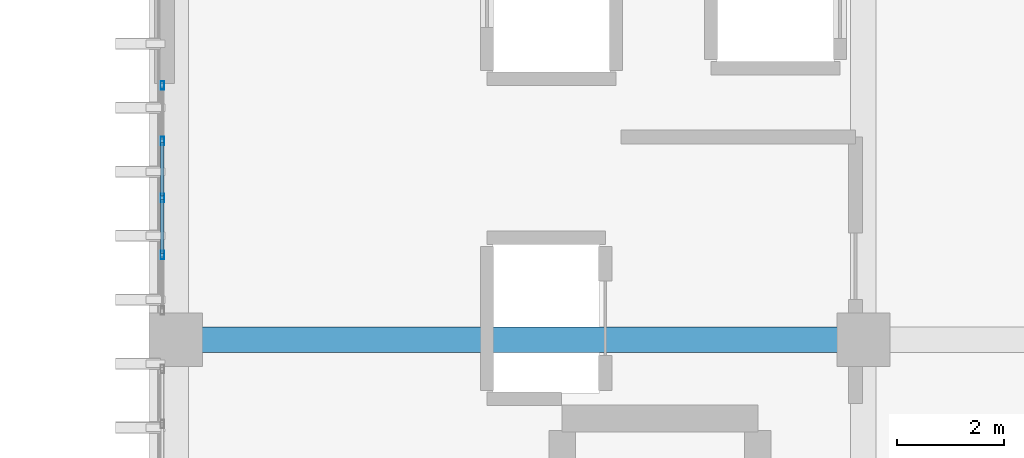
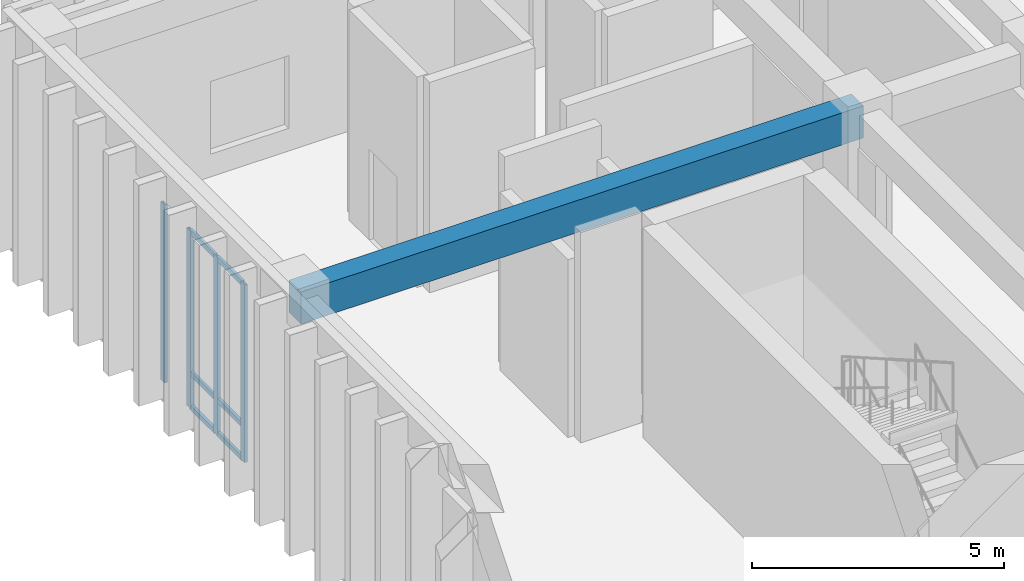
# One storey, part 81 of 134: 10 members, 1 beam, 1 element without a shape of its own.
"""IFC4 building model written with IfcOpenShell, lengths in metres."""

from ifc_helpers import new_model, si_unit, direction, frame, origin, origin_2d, place, context, subcontext, project, spatial, rectangle, hollow_rectangle, extrude, material, layer, layer_set, material_profile, profile_set, type_object, element, aggregate, save


model = new_model("IFC4")

# Units and contexts
model_context = context("Model", 3, precision=1e-05, world=origin(), true_north=direction((0.0, 1.0)))
body_context = subcontext(model_context, "Body", "Model", "MODEL_VIEW")
ifc_project = project(units=[si_unit("LENGTHUNIT", "METRE"), si_unit("AREAUNIT", "SQUARE_METRE"), si_unit("VOLUMEUNIT", "CUBIC_METRE"), si_unit("PLANEANGLEUNIT", "RADIAN"), si_unit("MASSUNIT", "GRAM", prefix="KILO")], contexts=[model_context])

# Site, building, storey
site_placement = place(None, origin())
site = spatial("IfcSite", under=ifc_project, at=site_placement, CompositionType="ELEMENT")
building_placement = place(site_placement, origin())
building = spatial("IfcBuilding", under=site, at=building_placement, Name="Nakhvara Creek Congress Hotel", CompositionType="ELEMENT")
storey_placement = place(building_placement, frame((0.0, 0.0, 6.0)))
storey = spatial("IfcBuildingStorey", under=building, at=storey_placement, Name="L01", CompositionType="ELEMENT", Elevation=6.0)

# Beam
ifc_material_1 = material(Name="Concrete C40/50", Category="concrete")
ifc_material_profile_1 = material_profile(ifc_material_1, rectangle(XDim=0.47998046875, YDim=0.780029296875, at=origin_2d()), Name="RC-BM 480x780", Category="LoadBearing")
ifc_profile_set_1 = profile_set([ifc_material_profile_1], Name="Concrete C40/50")
beam_type = type_object("IfcBeamType", Name="BM-RC-480X780", PredefinedType="BEAM", material=ifc_profile_set_1)
beam_placement = place(storey_placement, frame((149.449951171875, 115.199951171875, 4.7099609375), z_axis=(1.0, 0.0, 0.0), x_axis=(0.0, 1.0, 0.0)))
element("IfcBeam", 1, at=beam_placement, inside=storey, type_object=beam_type, Name="Beam B13-L01-1295", PredefinedType="BEAM", context=body_context, shape_type="SweptSolid", body=[
    extrude(rectangle(XDim=0.47998046875, YDim=0.780029296875, at=origin_2d()), origin(), (0.0, 0.0, 1.0), 12.900146484375),
])

# Curtain wall, members
ifc_material_2 = material(Name="Bronze-anodised aluminium AW-6063-T6 and double-silver low-E glass", Category="aluminium")
ifc_layer = layer(ifc_material_2, 0.199951171875)
ifc_layer_set = layer_set([ifc_layer], Name="Bronze-anodised aluminium AW-6063-T6 and double-silver low-E glass")
curtain_wall_type = type_object("IfcCurtainWallType", Name="CW-HTL-UNIT", PredefinedType="USERDEFINED", material=ifc_layer_set)
curtain_wall_placement = place(storey_placement, origin())
curtain_wall = element("IfcCurtainWall", 2, at=curtain_wall_placement, inside=storey, type_object=curtain_wall_type, Name="Curtain Wall CW126", ObjectType="UNITISED", PredefinedType="USERDEFINED")
ifc_material_3 = material(Name="Bronze-anodised aluminium AW-6063-T6", Category="aluminium")
ifc_material_profile_2 = material_profile(ifc_material_3, hollow_rectangle(XDim=0.06494140625, YDim=0.159912109375, WallThickness=0.00390625, at=origin_2d()), Name="ALU-MULL 65x160x4", Category="LoadBearing")
ifc_profile_set_2 = profile_set([ifc_material_profile_2], Name="Bronze-anodised aluminium AW-6063-T6")
member_type_1 = type_object("IfcMemberType", Name="CW-MULL-160", PredefinedType="MULLION", material=ifc_profile_set_2)
member_1_placement = place(storey_placement, frame((149.199951171875, 116.7861328125, 0.0), z_axis=(0.0, 0.0, 1.0), x_axis=(-1.0, 0.0, 0.0)))
member_1 = element("IfcMember", 3, at=member_1_placement, type_object=member_type_1, Name="CW126 mullion 2", PredefinedType="MULLION", context=body_context, shape_type="SweptSolid", body=[
    extrude(hollow_rectangle(XDim=0.06494140625, YDim=0.159912109375, WallThickness=0.00390625, at=origin_2d()), origin(), (0.0, 0.0, 1.0), 4.31201171875),
])
member_2_placement = place(storey_placement, frame((149.199951171875, 117.857421875, 0.0), z_axis=(0.0, 0.0, 1.0), x_axis=(-1.0, 0.0, 0.0)))
member_2 = element("IfcMember", 4, at=member_2_placement, type_object=member_type_1, Name="CW126 mullion 3", PredefinedType="MULLION", context=body_context, shape_type="SweptSolid", body=[
    extrude(hollow_rectangle(XDim=0.06494140625, YDim=0.159912109375, WallThickness=0.00390625, at=origin_2d()), origin(), (0.0, 0.0, 1.0), 4.31201171875),
])
member_3_placement = place(storey_placement, frame((149.199951171875, 118.9287109375, 0.0), z_axis=(0.0, 0.0, 1.0), x_axis=(-1.0, 0.0, 0.0)))
member_3 = element("IfcMember", 5, at=member_3_placement, type_object=member_type_1, Name="CW126 mullion 4", PredefinedType="MULLION", context=body_context, shape_type="SweptSolid", body=[
    extrude(hollow_rectangle(XDim=0.06494140625, YDim=0.159912109375, WallThickness=0.00390625, at=origin_2d()), origin(), (0.0, 0.0, 1.0), 4.31201171875),
])
member_4_placement = place(storey_placement, frame((149.199951171875, 119.967529296875, 0.0), z_axis=(0.0, 0.0, 1.0), x_axis=(-1.0, 0.0, 0.0)))
member_4 = element("IfcMember", 6, at=member_4_placement, type_object=member_type_1, Name="CW126 mullion 5", PredefinedType="MULLION", context=body_context, shape_type="SweptSolid", body=[
    extrude(hollow_rectangle(XDim=0.06494140625, YDim=0.159912109375, WallThickness=0.00390625, at=origin_2d()), origin(), (0.0, 0.0, 1.0), 4.31201171875),
])
ifc_material_profile_3 = material_profile(ifc_material_3, hollow_rectangle(XDim=0.06494140625, YDim=0.1201171875, WallThickness=0.00390625, at=origin_2d()), Name="ALU-TRAN 65x120x4", Category="LoadBearing")
ifc_profile_set_3 = profile_set([ifc_material_profile_3], Name="Bronze-anodised aluminium AW-6063-T6")
member_type_2 = type_object("IfcMemberType", Name="CW-TRAN-120", PredefinedType="USERDEFINED", material=ifc_profile_set_3)
member_5_placement = place(storey_placement, frame((149.199951171875, 116.81884765625, 0.032470703125), z_axis=(0.0, 1.0, 0.0), x_axis=(-1.0, 0.0, 0.0)))
member_5 = element("IfcMember", 7, at=member_5_placement, type_object=member_type_2, Name="CW126 transom 2.1", ObjectType="TRANSOM", PredefinedType="USERDEFINED", context=body_context, shape_type="SweptSolid", body=[
    extrude(hollow_rectangle(XDim=0.06494140625, YDim=0.1201171875, WallThickness=0.00390625, at=origin_2d()), origin(), (0.0, 0.0, 1.0), 1.006103515625),
])
member_6_placement = place(storey_placement, frame((149.199951171875, 116.81884765625, 0.85009765625), z_axis=(0.0, 1.0, 0.0), x_axis=(-1.0, 0.0, 0.0)))
member_6 = element("IfcMember", 8, at=member_6_placement, type_object=member_type_2, Name="CW126 transom 2.2", ObjectType="TRANSOM", PredefinedType="USERDEFINED", context=body_context, shape_type="SweptSolid", body=[
    extrude(hollow_rectangle(XDim=0.06494140625, YDim=0.1201171875, WallThickness=0.00390625, at=origin_2d()), origin(), (0.0, 0.0, 1.0), 1.006103515625),
])
member_7_placement = place(storey_placement, frame((149.199951171875, 116.81884765625, 4.279541015625), z_axis=(0.0, 1.0, 0.0), x_axis=(-1.0, 0.0, 0.0)))
member_7 = element("IfcMember", 9, at=member_7_placement, type_object=member_type_2, Name="CW126 transom 2.3", ObjectType="TRANSOM", PredefinedType="USERDEFINED", context=body_context, shape_type="SweptSolid", body=[
    extrude(hollow_rectangle(XDim=0.06494140625, YDim=0.1201171875, WallThickness=0.00390625, at=origin_2d()), origin(), (0.0, 0.0, 1.0), 1.006103515625),
])
member_8_placement = place(storey_placement, frame((149.199951171875, 117.889892578125, 0.032470703125), z_axis=(0.0, 1.0, 0.0), x_axis=(-1.0, 0.0, 0.0)))
member_8 = element("IfcMember", 10, at=member_8_placement, type_object=member_type_2, Name="CW126 transom 3.1", ObjectType="TRANSOM", PredefinedType="USERDEFINED", context=body_context, shape_type="SweptSolid", body=[
    extrude(hollow_rectangle(XDim=0.06494140625, YDim=0.1201171875, WallThickness=0.00390625, at=origin_2d()), origin(), (0.0, 0.0, 1.0), 1.00634765625),
])
member_9_placement = place(storey_placement, frame((149.199951171875, 117.889892578125, 0.85009765625), z_axis=(0.0, 1.0, 0.0), x_axis=(-1.0, 0.0, 0.0)))
member_9 = element("IfcMember", 11, at=member_9_placement, type_object=member_type_2, Name="CW126 transom 3.2", ObjectType="TRANSOM", PredefinedType="USERDEFINED", context=body_context, shape_type="SweptSolid", body=[
    extrude(hollow_rectangle(XDim=0.06494140625, YDim=0.1201171875, WallThickness=0.00390625, at=origin_2d()), origin(), (0.0, 0.0, 1.0), 1.00634765625),
])
member_10_placement = place(storey_placement, frame((149.199951171875, 117.889892578125, 4.279541015625), z_axis=(0.0, 1.0, 0.0), x_axis=(-1.0, 0.0, 0.0)))
member_10 = element("IfcMember", 12, at=member_10_placement, type_object=member_type_2, Name="CW126 transom 3.3", ObjectType="TRANSOM", PredefinedType="USERDEFINED", context=body_context, shape_type="SweptSolid", body=[
    extrude(hollow_rectangle(XDim=0.06494140625, YDim=0.1201171875, WallThickness=0.00390625, at=origin_2d()), origin(), (0.0, 0.0, 1.0), 1.00634765625),
])
aggregate(curtain_wall, [member_1, member_2, member_3, member_4, member_5, member_6, member_7, member_8, member_9, member_10])

save(model, "model.ifc")
